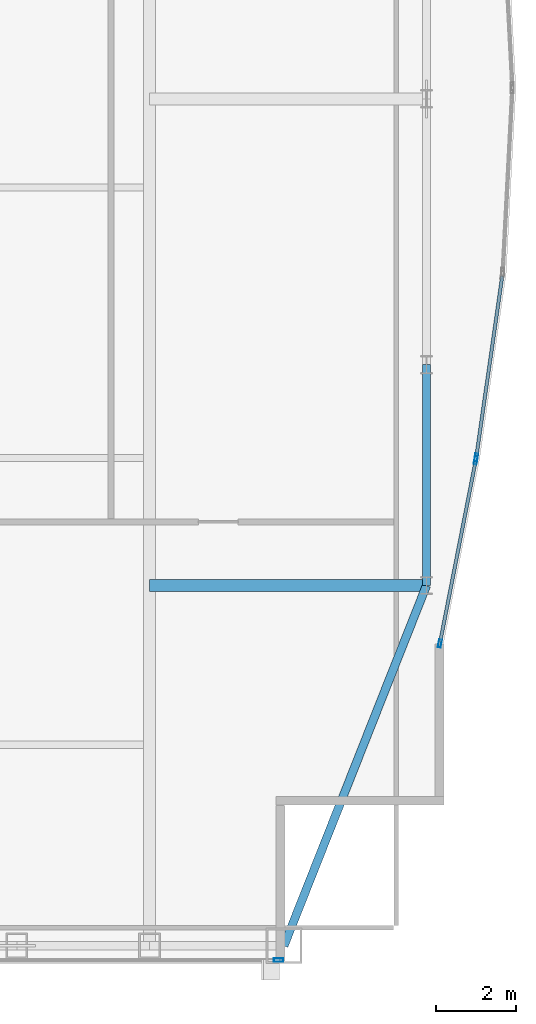
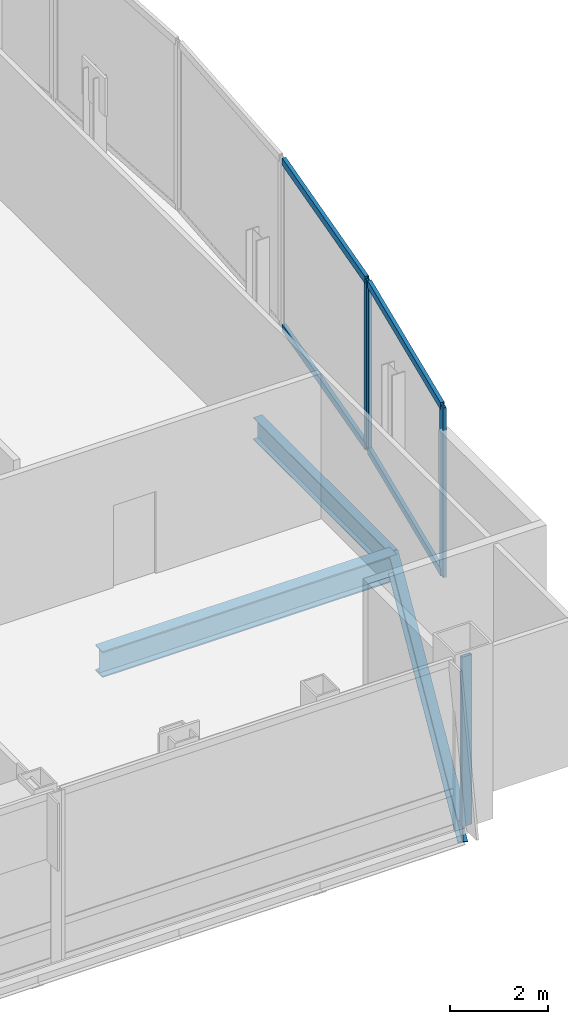
# One storey, part 14 of 27: 8 members, 3 beams, 3 elements without a shape of their own.
"""IFC4 building model written with IfcOpenShell, lengths in metres."""

from ifc_helpers import new_model, si_unit, direction, frame, origin, origin_2d, place, context, subcontext, project, spatial, hollow_rectangle, i_section, extrude, material, material_profile, profile_set, type_object, element, aggregate, save


model = new_model("IFC4")

# Units and contexts
model_context = context("Model", 3, precision=1e-05, world=origin(), true_north=direction((0.0, 1.0)))
body_context = subcontext(model_context, "Body", "Model", "MODEL_VIEW")
ifc_project = project(units=[si_unit("LENGTHUNIT", "METRE"), si_unit("AREAUNIT", "SQUARE_METRE"), si_unit("VOLUMEUNIT", "CUBIC_METRE"), si_unit("PLANEANGLEUNIT", "RADIAN"), si_unit("MASSUNIT", "GRAM", prefix="KILO")], contexts=[model_context])

# Site, building, storey
site_placement = place(None, origin())
site = spatial("IfcSite", under=ifc_project, at=site_placement, CompositionType="ELEMENT")
building_placement = place(site_placement, origin())
building = spatial("IfcBuilding", under=site, at=building_placement, Name="Khoronbel Lancet Exchange", CompositionType="ELEMENT")
storey_placement = place(building_placement, frame((0.0, 0.0, 310.199951171875)))
storey = spatial("IfcBuildingStorey", under=building, at=storey_placement, Name="L80", CompositionType="ELEMENT", Elevation=310.199951171875)

# Beams
ifc_material_1 = material(Name="Steel S355", Category="steel")
ifc_material_profile_1 = material_profile(ifc_material_1, i_section(OverallWidth=0.300048828125, OverallDepth=0.64990234375, WebThickness=0.01611328125, FlangeThickness=0.031005859375, at=origin_2d()), Name="HEB 650")
ifc_profile_set_1 = profile_set([ifc_material_profile_1], Name="Steel S355")
beam_type_1 = type_object("IfcBeamType", Name="BM-BG4", PredefinedType="BEAM", material=ifc_profile_set_1)
beam_1_placement = place(storey_placement, frame((54.675048828125, 19.199951171875, -0.48486328125), z_axis=(1.0, 0.0, 0.0), x_axis=(0.0, 1.0, 0.0)))
element("IfcBeam", 1, at=beam_1_placement, inside=storey, type_object=beam_type_1, Name="Level L80 east lens tie girder LG1E", PredefinedType="BEAM", context=body_context, shape_type="SweptSolid", body=[
    extrude(i_section(OverallWidth=0.300048828125, OverallDepth=0.64990234375, WebThickness=0.01611328125, FlangeThickness=0.031005859375, at=origin_2d()), origin(), (0.0, 0.0, 1.0), 6.954833984375),
])
ifc_material_profile_2 = material_profile(ifc_material_1, i_section(OverallWidth=0.2099609375, OverallDepth=0.550048828125, WebThickness=0.010986328125, FlangeThickness=0.01708984375, at=origin_2d()), Name="IPE 550")
ifc_profile_set_2 = profile_set([ifc_material_profile_2], Name="Steel S355")
beam_type_2 = type_object("IfcBeamType", Name="BM-BSP3", PredefinedType="SPANDREL", material=ifc_profile_set_2)
beam_2_placement = place(storey_placement, frame((58.050048828125, 10.14990234375, -0.43505859375), z_axis=(0.367828403855, 0.929893684954, 0.0), x_axis=(-0.929893684954, 0.367828403855, 0.0)))
element("IfcBeam", 2, at=beam_2_placement, inside=storey, type_object=beam_type_2, Name="Level L80 perimeter spandrel beam SP08", PredefinedType="SPANDREL", context=body_context, shape_type="SweptSolid", body=[
    extrude(i_section(OverallWidth=0.2099609375, OverallDepth=0.550048828125, WebThickness=0.010986328125, FlangeThickness=0.01708984375, at=origin_2d()), origin(), (0.0, 0.0, 1.0), 9.732421875),
])
beam_3_placement = place(storey_placement, frame((61.6298828125, 19.199951171875, -0.43505859375), z_axis=(0.0, 1.0, 0.0), x_axis=(-1.0, 0.0, 0.0)))
element("IfcBeam", 3, at=beam_3_placement, inside=storey, type_object=beam_type_2, Name="Level L80 perimeter spandrel beam SP09", PredefinedType="SPANDREL", context=body_context, shape_type="SweptSolid", body=[
    extrude(i_section(OverallWidth=0.2099609375, OverallDepth=0.550048828125, WebThickness=0.010986328125, FlangeThickness=0.01708984375, at=origin_2d()), origin(), (0.0, 0.0, 1.0), 5.550048828125),
])

# Curtain wall, member
ifc_material_2 = material(Name="Low-E Solar Control Insulating Glass", Category="glass")
curtain_wall_type_1 = type_object("IfcCurtainWallType", Name="CW-3", PredefinedType="NOTDEFINED", material=ifc_material_2)
curtain_wall_1_placement = place(storey_placement, origin())
curtain_wall_1 = element("IfcCurtainWall", 4, at=curtain_wall_1_placement, inside=storey, type_object=curtain_wall_type_1, Name="Unitised curtain wall CW-L80-SE-WING", PredefinedType="NOTDEFINED")
ifc_material_3 = material(Name="Bronze-Anodised Aluminium 6063-T6", Category="aluminium")
ifc_material_profile_3 = material_profile(ifc_material_3, hollow_rectangle(XDim=0.0849609375, YDim=0.239990234375, WallThickness=0.006103515625, at=origin_2d()), Name="ALU MULLION 85x240")
ifc_profile_set_3 = profile_set([ifc_material_profile_3], Name="Bronze-Anodised Aluminium 6063-T6")
member_type_1 = type_object("IfcMemberType", Name="MEM-CWM1", PredefinedType="MULLION", material=ifc_profile_set_3)
member_1_placement = place(storey_placement, frame((57.91748046875, 9.7900390625, 0.0), z_axis=(0.0, 0.0, 1.0), x_axis=(0.0, 1.0, 0.0)))
member_1 = element("IfcMember", 5, at=member_1_placement, type_object=member_type_1, Name="CW3 mullion 2", PredefinedType="MULLION", context=body_context, shape_type="SweptSolid", body=[
    extrude(hollow_rectangle(XDim=0.0849609375, YDim=0.239990234375, WallThickness=0.006103515625, at=origin_2d()), origin(), (0.0, 0.0, 1.0), 4.239990234375),
])
aggregate(curtain_wall_1, [member_1])

curtain_wall_type_2 = type_object("IfcCurtainWallType", Name="CW-4", PredefinedType="NOTDEFINED", material=ifc_material_2)
curtain_wall_2_placement = place(storey_placement, origin())
curtain_wall_2 = element("IfcCurtainWall", 6, at=curtain_wall_2_placement, inside=storey, type_object=curtain_wall_type_2, Name="Unitised curtain wall CW-L80-E21", PredefinedType="NOTDEFINED")
ifc_material_profile_4 = material_profile(ifc_material_3, hollow_rectangle(XDim=0.074951171875, YDim=0.199951171875, WallThickness=0.0048828125, at=origin_2d()), Name="ALU MULLION 75x200")
ifc_profile_set_4 = profile_set([ifc_material_profile_4], Name="Bronze-Anodised Aluminium 6063-T6")
member_type_2 = type_object("IfcMemberType", Name="MEM-CWM2", PredefinedType="MULLION", material=ifc_profile_set_4)
member_2_placement = place(storey_placement, frame((62.88037109375, 22.418701171875, 0.0), z_axis=(0.0, 0.0, 1.0), x_axis=(0.989880131819, -0.141906041556, 0.0)))
member_2 = element("IfcMember", 7, at=member_2_placement, type_object=member_type_2, Name="CW4 mullion 2", PredefinedType="MULLION", context=body_context, shape_type="SweptSolid", body=[
    extrude(hollow_rectangle(XDim=0.074951171875, YDim=0.199951171875, WallThickness=0.0048828125, at=origin_2d()), origin(), (0.0, 0.0, 1.0), 4.239990234375),
])

# Curtain wall, members
curtain_wall_3_placement = place(storey_placement, origin())
curtain_wall_3 = element("IfcCurtainWall", 8, at=curtain_wall_3_placement, inside=storey, type_object=curtain_wall_type_2, Name="Unitised curtain wall CW-L80-E22", PredefinedType="NOTDEFINED")
member_3_placement = place(storey_placement, frame((62.867919921875, 22.344970703125, 0.0), z_axis=(0.0, 0.0, 1.0), x_axis=(0.981360294009, -0.192176932391, 0.0)))
member_3 = element("IfcMember", 9, at=member_3_placement, type_object=member_type_2, Name="CW4 mullion 1", PredefinedType="MULLION", context=body_context, shape_type="SweptSolid", body=[
    extrude(hollow_rectangle(XDim=0.074951171875, YDim=0.199951171875, WallThickness=0.0048828125, at=origin_2d()), origin(), (0.0, 0.0, 1.0), 4.239990234375),
])
member_4_placement = place(storey_placement, frame((61.96728515625, 17.74560546875, 0.0), z_axis=(0.0, 0.0, 1.0), x_axis=(0.981360294009, -0.192176932391, 0.0)))
member_4 = element("IfcMember", 10, at=member_4_placement, type_object=member_type_2, Name="CW4 mullion 2", PredefinedType="MULLION", context=body_context, shape_type="SweptSolid", body=[
    extrude(hollow_rectangle(XDim=0.074951171875, YDim=0.199951171875, WallThickness=0.0048828125, at=origin_2d()), origin(), (0.0, 0.0, 1.0), 4.239990234375),
])

# Member
ifc_material_profile_5 = material_profile(ifc_material_3, hollow_rectangle(XDim=0.0849609375, YDim=0.179931640625, WallThickness=0.0048828125, at=origin_2d()), Name="ALU TRANSOM 85x180")
ifc_profile_set_5 = profile_set([ifc_material_profile_5], Name="Bronze-Anodised Aluminium 6063-T6")
member_type_3 = type_object("IfcMemberType", Name="MEM-CWT1", PredefinedType="USERDEFINED", material=ifc_profile_set_5)
member_5_placement = place(storey_placement, frame((63.532470703125, 26.9677734375, 0.04248046875), z_axis=(-0.141893783761, -0.98988188898, 0.0), x_axis=(0.98988188898, -0.141893783761, 0.0)))
member_5 = element("IfcMember", 11, at=member_5_placement, type_object=member_type_3, Name="CW4 transom 1.1", ObjectType="TRANSOM", PredefinedType="USERDEFINED", context=body_context, shape_type="SweptSolid", body=[
    extrude(hollow_rectangle(XDim=0.0849609375, YDim=0.179931640625, WallThickness=0.0048828125, at=origin_2d()), origin(), (0.0, 0.0, 1.0), 4.557861328125),
])

member_6_placement = place(storey_placement, frame((63.532470703125, 26.9677734375, 4.197509765625), z_axis=(-0.141893783761, -0.98988188898, 0.0), x_axis=(0.98988188898, -0.141893783761, 0.0)))
member_6 = element("IfcMember", 12, at=member_6_placement, type_object=member_type_3, Name="CW4 transom 1.2", ObjectType="TRANSOM", PredefinedType="USERDEFINED", context=body_context, shape_type="SweptSolid", body=[
    extrude(hollow_rectangle(XDim=0.0849609375, YDim=0.179931640625, WallThickness=0.0048828125, at=origin_2d()), origin(), (0.0, 0.0, 1.0), 4.557861328125),
])

aggregate(curtain_wall_2, [member_2, member_5, member_6])

member_7_placement = place(storey_placement, frame((62.860595703125, 22.30810546875, 0.04248046875), z_axis=(-0.192164562526, -0.981362716282, 0.0), x_axis=(0.981362716282, -0.192164562526, 0.0)))
member_7 = element("IfcMember", 13, at=member_7_placement, type_object=member_type_3, Name="CW4 transom 1.1", ObjectType="TRANSOM", PredefinedType="USERDEFINED", context=body_context, shape_type="SweptSolid", body=[
    extrude(hollow_rectangle(XDim=0.0849609375, YDim=0.179931640625, WallThickness=0.0048828125, at=origin_2d()), origin(), (0.0, 0.0, 1.0), 4.61181640625),
])

member_8_placement = place(storey_placement, frame((62.860595703125, 22.30810546875, 4.197509765625), z_axis=(-0.192164562526, -0.981362716282, 0.0), x_axis=(0.981362716282, -0.192164562526, 0.0)))
member_8 = element("IfcMember", 14, at=member_8_placement, type_object=member_type_3, Name="CW4 transom 1.2", ObjectType="TRANSOM", PredefinedType="USERDEFINED", context=body_context, shape_type="SweptSolid", body=[
    extrude(hollow_rectangle(XDim=0.0849609375, YDim=0.179931640625, WallThickness=0.0048828125, at=origin_2d()), origin(), (0.0, 0.0, 1.0), 4.61181640625),
])

aggregate(curtain_wall_3, [member_3, member_4, member_7, member_8])

save(model, "model.ifc")
